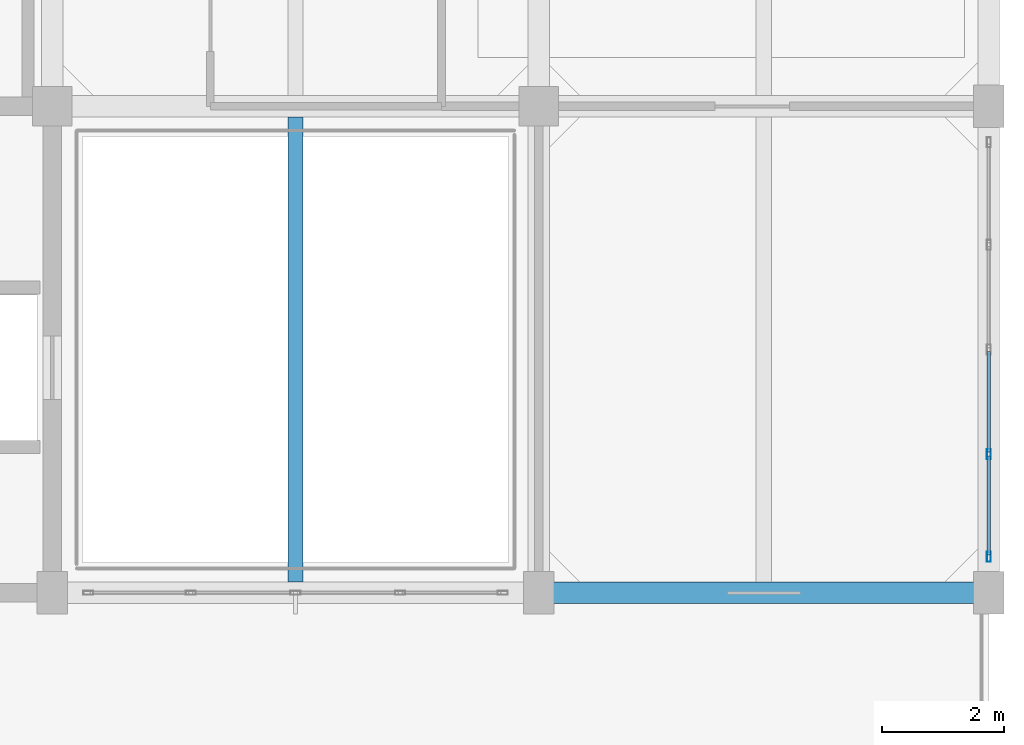
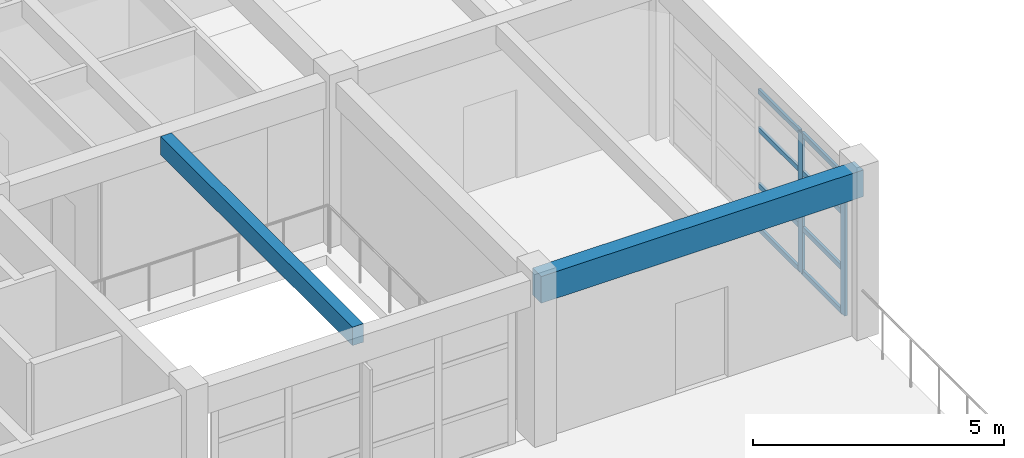
# One storey, part 6 of 20: 10 members, 2 beams, 1 element without a shape of its own.
"""IFC4 building model written with IfcOpenShell, lengths in metres."""

import ifcopenshell
import ifcopenshell.guid

model = None  # the IFC model being written
_history = None  # IfcOwnerHistory: only IFC2X3 demands one
_inside = {}  # id of a spatial element -> (the spatial element, [elements in it])
_under = {}  # id of a project, library or spatial element -> (it, [spatial elements below it])
_declared = {}  # id of a project -> (the project, [libraries it declares])
_typed = {}  # id of a type object -> (the type object, [elements of that type])
_made_of = {}  # id of a material, layer set ... -> (it, [elements and type objects made of it])


def new_model(schema):
    """Start an empty IFC model of exactly this schema.

    Asked for "IFC4X3", IfcOpenShell would pick the latest addendum, in which some entities
    have other attributes; the version numbers below select the first issue.
    IFC2X3 requires an IfcOwnerHistory on every rooted entity: one is made here for all.
    """
    global model, _history
    if schema == "IFC4X3":
        model = ifcopenshell.file(schema_version=(4, 3, 0, 0))
    else:
        model = ifcopenshell.file(schema=schema)
    _inside.clear()
    _under.clear()
    _declared.clear()
    _typed.clear()
    _made_of.clear()
    _history = None
    if model.schema == "IFC2X3":
        org = make("IfcOrganization", Name="unknown")
        user = make(
            "IfcPersonAndOrganization",
            ThePerson=make("IfcPerson", FamilyName="unknown"),
            TheOrganization=org,
        )
        app = make(
            "IfcApplication",
            ApplicationDeveloper=org,
            Version="unknown",
            ApplicationFullName="unknown",
            ApplicationIdentifier="unknown",
        )
        _history = make(
            "IfcOwnerHistory",
            OwningUser=user,
            OwningApplication=app,
            ChangeAction="ADDED",
            CreationDate=0,
        )
    return model


def make(cls, **values):
    """One entity of the class cls with the attributes given. An attribute that is None is left unset."""
    return model.create_entity(
        cls, **{name: value for name, value in values.items() if value is not None}
    )


def rooted(cls, **values):
    """An entity with a GlobalId (a new one), such as an element, a storey or a relation."""
    return make(cls, GlobalId=ifcopenshell.guid.new(), OwnerHistory=_history, **values)


def si_unit(unit_type, name, prefix=None):
    """IfcSIUnit, for example si_unit("LENGTHUNIT", "METRE", prefix="MILLI")."""
    return make("IfcSIUnit", UnitType=unit_type, Prefix=prefix, Name=name)


def assignment(units):
    """IfcUnitAssignment: the units of a project."""
    return None if units is None else make("IfcUnitAssignment", Units=units)


def point(xyz):
    """IfcCartesianPoint."""
    return None if xyz is None else make("IfcCartesianPoint", Coordinates=xyz)


def direction(xyz):
    """IfcDirection."""
    return None if xyz is None else make("IfcDirection", DirectionRatios=xyz)


def frame(location, z_axis=None, x_axis=None):
    """IfcAxis2Placement3D, a coordinate frame: its origin and axes. An axis left out is left unset."""
    return make(
        "IfcAxis2Placement3D",
        Location=point(location),
        Axis=direction(z_axis),
        RefDirection=direction(x_axis),
    )


def frame_2d(location, x_axis=None):
    """IfcAxis2Placement2D, a coordinate frame in the plane: its origin and x axis."""
    return make(
        "IfcAxis2Placement2D", Location=point(location), RefDirection=direction(x_axis)
    )


def origin():
    """The frame at (0, 0, 0) with its axes left unset."""
    return frame((0.0, 0.0, 0.0))


def origin_2d():
    """The frame at (0, 0) in the plane with its x axis left unset."""
    return frame_2d((0.0, 0.0))


def place(relative_to, where):
    """IfcLocalPlacement: puts the frame where relative to a parent placement (None: the world)."""
    return make(
        "IfcLocalPlacement", PlacementRelTo=relative_to, RelativePlacement=where
    )


def context(
    kind, dimensions, precision=None, world=None, true_north=None, identifier=None
):
    """IfcGeometricRepresentationContext, for example the 3D "Model" context."""
    return make(
        "IfcGeometricRepresentationContext",
        ContextIdentifier=identifier,
        ContextType=kind,
        CoordinateSpaceDimension=dimensions,
        Precision=precision,
        WorldCoordinateSystem=world,
        TrueNorth=true_north,
    )


def subcontext(parent, identifier, kind, view, scale=None):
    """IfcGeometricRepresentationSubContext, for example "Body" below "Model"."""
    return make(
        "IfcGeometricRepresentationSubContext",
        ContextIdentifier=identifier,
        ContextType=kind,
        ParentContext=parent,
        TargetScale=scale,
        TargetView=view,
    )


def project(units=None, contexts=None):
    """IfcProject with its units and contexts."""
    return rooted(
        "IfcProject",
        Name="project",
        RepresentationContexts=contexts,
        UnitsInContext=assignment(units),
    )


def spatial(cls, under=None, at=None, **own):
    """A site, building, storey or space (cls), placed at a placement, below another one or the project."""
    s = rooted(cls, ObjectPlacement=at, **own)
    if under is not None:
        _under.setdefault(under.id(), (under, []))[1].append(s)
    return s


def profile(cls, at=None, kind="AREA", **sizes):
    """A parametric profile (cls). Its sizes go by their IFC names, for example OverallWidth=200.0."""
    return make(cls, ProfileType=kind, Position=at, **sizes)


def rectangle(**sizes):
    """IfcRectangleProfileDef."""
    return profile("IfcRectangleProfileDef", **sizes)


def hollow_rectangle(**sizes):
    """IfcRectangleHollowProfileDef."""
    return profile("IfcRectangleHollowProfileDef", **sizes)


def extrude(swept, where, along, depth):
    """IfcExtrudedAreaSolid: the profile swept, set in the frame where, extruded along a direction by depth."""
    return make(
        "IfcExtrudedAreaSolid",
        SweptArea=swept,
        Position=where,
        ExtrudedDirection=direction(along),
        Depth=depth,
    )


def shape(context_of_items, identifier, shape_type, items):
    """IfcShapeRepresentation: the items that make up one representation, for example the "Body"."""
    return make(
        "IfcShapeRepresentation",
        ContextOfItems=context_of_items,
        RepresentationIdentifier=identifier,
        RepresentationType=shape_type,
        Items=items,
    )


def material(Name=None, Category=None):
    """IfcMaterial."""
    return make("IfcMaterial", Name=Name, Category=Category)


def layer(
    of_material, thickness, ventilated=None, Name=None, Category=None, Priority=None
):
    """IfcMaterialLayer: one layer of a wall or slab, of a material (None: an air gap)."""
    return make(
        "IfcMaterialLayer",
        Material=of_material,
        LayerThickness=thickness,
        IsVentilated=ventilated,
        Name=Name,
        Category=Category,
        Priority=Priority,
    )


def layer_set(layers, Name=None):
    """IfcMaterialLayerSet."""
    return make("IfcMaterialLayerSet", MaterialLayers=layers, LayerSetName=Name)


def material_profile(
    of_material, cross_section, Name=None, Category=None, Priority=None
):
    """IfcMaterialProfile: a cross section and its material."""
    return make(
        "IfcMaterialProfile",
        Name=Name,
        Material=of_material,
        Profile=cross_section,
        Priority=Priority,
        Category=Category,
    )


def profile_set(profiles, Name=None, composite=None):
    """IfcMaterialProfileSet."""
    return make(
        "IfcMaterialProfileSet",
        Name=Name,
        MaterialProfiles=profiles,
        CompositeProfile=composite,
    )


def made_of(thing, what):
    """Note that an element or type object is made of a material, layer set ...; save() writes the relation."""
    if what is not None:
        _made_of.setdefault(what.id(), (what, []))[1].append(thing)
    return thing


def type_object(cls, material=None, **own):
    """A type object (cls), such as IfcWallType, which elements share."""
    return made_of(rooted(cls, **own), material)


def element(
    cls,
    number,
    at=None,
    inside=None,
    cuts=None,
    type_object=None,
    material=None,
    context=None,
    identifier="Body",
    shape_type=None,
    held_by="IfcProductDefinitionShape",
    body=None,
    shapes=None,
    **own,
):
    """One element of the class cls, such as IfcWall. Its Tag is "e" and its number.

    at: its placement. inside: the storey or other place that contains it. cuts: it is an
    opening in that element (IfcRelVoidsElement). A single representation is given by context,
    identifier, shape_type and body (its items); several are given by shapes. held_by: the class
    of the entity that holds the representations. save() writes the other relations.
    """
    e = rooted(cls, Tag="e%d" % number, ObjectPlacement=at, **own)
    if body is not None:
        shapes = [shape(context, identifier, shape_type, body)]
    if shapes is not None:
        e.Representation = make(held_by, Representations=shapes)
    if inside is not None:
        _inside.setdefault(inside.id(), (inside, []))[1].append(e)
    if cuts is not None:
        rooted(
            "IfcRelVoidsElement", RelatingBuildingElement=cuts, RelatedOpeningElement=e
        )
    if type_object is not None:
        _typed.setdefault(type_object.id(), (type_object, []))[1].append(e)
    return made_of(e, material)


def aggregate(whole, parts):
    """IfcRelAggregates: a whole, such as a stair, and the parts it consists of."""
    return rooted("IfcRelAggregates", RelatingObject=whole, RelatedObjects=parts)


def save(model, path):
    """Write the relations noted so far, then the file.

    IfcRelAggregates (storeys below a building ...), IfcRelContainedInSpatialStructure (elements
    in a storey), IfcRelDefinesByType, IfcRelAssociatesMaterial and IfcRelDeclares: one each for
    every whole, place, type object, material and project.
    """
    for whole, parts in _under.values():
        aggregate(whole, parts)
    for where, things in _inside.values():
        rooted(
            "IfcRelContainedInSpatialStructure",
            RelatedElements=things,
            RelatingStructure=where,
        )
    for kind, things in _typed.values():
        rooted("IfcRelDefinesByType", RelatedObjects=things, RelatingType=kind)
    for what, things in _made_of.values():
        rooted("IfcRelAssociatesMaterial", RelatedObjects=things, RelatingMaterial=what)
    for by, libraries in _declared.values():
        rooted("IfcRelDeclares", RelatingContext=by, RelatedDefinitions=libraries)
    model.write(path)


model = new_model("IFC4")

# Units and contexts
model_context = context("Model", 3, precision=1e-05, world=origin(), true_north=direction((0.0, 1.0)))
body_context = subcontext(model_context, "Body", "Model", "MODEL_VIEW")
ifc_project = project(units=[si_unit("LENGTHUNIT", "METRE"), si_unit("AREAUNIT", "SQUARE_METRE"), si_unit("VOLUMEUNIT", "CUBIC_METRE"), si_unit("PLANEANGLEUNIT", "RADIAN"), si_unit("MASSUNIT", "GRAM", prefix="KILO")], contexts=[model_context])

# Site, building, storey
site_placement = place(None, origin())
site = spatial("IfcSite", under=ifc_project, at=site_placement, CompositionType="ELEMENT")
building_placement = place(site_placement, origin())
building = spatial("IfcBuilding", under=site, at=building_placement, Name="Canggui Botanical Conservatory", CompositionType="ELEMENT")
storey_placement = place(building_placement, frame((0.0, 0.0, 57.0)))
storey = spatial("IfcBuildingStorey", under=building, at=storey_placement, Name="L14", CompositionType="ELEMENT", Elevation=57.0)

# Beams
ifc_material_1 = material(Name="Concrete C35", Category="concrete")
ifc_material_profile_1 = material_profile(ifc_material_1, rectangle(XDim=0.25, YDim=0.449951171875, at=origin_2d()), Name="RB 250x450")
ifc_profile_set_1 = profile_set([ifc_material_profile_1], Name="Concrete C35")
beam_type_1 = type_object("IfcBeamType", Name="BM-JST05", PredefinedType="JOIST", material=ifc_profile_set_1)
beam_1_placement = place(storey_placement, frame((166.0, 42.179931640625, 3.735107421875), z_axis=(0.0, 1.0, 0.0), x_axis=(-1.0, 0.0, 0.0)))
element("IfcBeam", 1, at=beam_1_placement, inside=storey, type_object=beam_type_1, Name="Secondary Floor Joist L14-3-1", PredefinedType="JOIST", context=body_context, shape_type="SweptSolid", body=[
    extrude(rectangle(XDim=0.25, YDim=0.449951171875, at=origin_2d()), origin(), (0.0, 0.0, 1.0), 7.64013671875),
])
ifc_material_profile_2 = material_profile(ifc_material_1, rectangle(XDim=0.35009765625, YDim=0.64990234375, at=origin_2d()), Name="RB 350x650")
ifc_profile_set_2 = profile_set([ifc_material_profile_2], Name="Concrete C35")
beam_type_2 = type_object("IfcBeamType", Name="BM-KL18", PredefinedType="BEAM", material=ifc_profile_set_2)
beam_2_placement = place(storey_placement, frame((170.0, 42.0, 3.635009765625), z_axis=(1.0, 0.0, 0.0), x_axis=(0.0, 1.0, 0.0)))
element("IfcBeam", 2, at=beam_2_placement, inside=storey, type_object=beam_type_2, Name="Frame Girder L14 Y42-4", PredefinedType="BEAM", context=body_context, shape_type="SweptSolid", body=[
    extrude(rectangle(XDim=0.35009765625, YDim=0.64990234375, at=origin_2d()), origin(), (0.0, 0.0, 1.0), 7.39990234375),
])

# Curtain wall, members
ifc_material_2 = material(Name="Thermally Broken Aluminium", Category="aluminium")
ifc_layer = layer(ifc_material_2, 0.1650390625, Name="Thermally Broken Aluminium", Category="aluminium")
ifc_layer_set = layer_set([ifc_layer], Name="Thermally Broken Aluminium")
curtain_wall_type = type_object("IfcCurtainWallType", Name="CW-UNIT-B", PredefinedType="USERDEFINED", material=ifc_layer_set)
curtain_wall_placement = place(storey_placement, origin())
curtain_wall = element("IfcCurtainWall", 3, at=curtain_wall_placement, inside=storey, type_object=curtain_wall_type, Name="Facade Curtain Wall CW-TWR-L14-12", ObjectType="UNITISED CURTAIN WALL", PredefinedType="USERDEFINED")
ifc_material_profile_3 = material_profile(ifc_material_2, hollow_rectangle(XDim=0.06494140625, YDim=0.1650390625, WallThickness=0.00390625, at=origin_2d()), Name="CWM 65x165x4")
ifc_profile_set_3 = profile_set([ifc_material_profile_3], Name="Thermally Broken Aluminium")
member_type_1 = type_object("IfcMemberType", Name="CWM-02", PredefinedType="MULLION", material=ifc_profile_set_3)
member_1_placement = place(storey_placement, frame((177.39990234375, 44.280029296875, 0.0), z_axis=(0.0, 0.0, 1.0), x_axis=(1.0, 0.0, 0.0)))
member_1 = element("IfcMember", 4, at=member_1_placement, type_object=member_type_1, Name="CW-02 mullion 4", PredefinedType="MULLION", context=body_context, shape_type="SweptSolid", body=[
    extrude(hollow_rectangle(XDim=0.06494140625, YDim=0.1650390625, WallThickness=0.00390625, at=origin_2d()), origin(), (0.0, 0.0, 1.0), 3.39990234375),
])
member_2_placement = place(storey_placement, frame((177.39990234375, 42.592529296875, 0.0), z_axis=(0.0, 0.0, 1.0), x_axis=(1.0, 0.0, 0.0)))
member_2 = element("IfcMember", 5, at=member_2_placement, type_object=member_type_1, Name="CW-02 mullion 5", PredefinedType="MULLION", context=body_context, shape_type="SweptSolid", body=[
    extrude(hollow_rectangle(XDim=0.06494140625, YDim=0.1650390625, WallThickness=0.00390625, at=origin_2d()), origin(), (0.0, 0.0, 1.0), 3.39990234375),
])
ifc_material_profile_4 = material_profile(ifc_material_2, hollow_rectangle(XDim=0.06005859375, YDim=0.1201171875, WallThickness=0.00341796875, at=origin_2d()), Name="CWT 60x120x3.5")
ifc_profile_set_4 = profile_set([ifc_material_profile_4], Name="Thermally Broken Aluminium")
member_type_2 = type_object("IfcMemberType", Name="CWT-02", PredefinedType="USERDEFINED", material=ifc_profile_set_4)
member_3_placement = place(storey_placement, frame((177.39990234375, 45.967529296875, 0.030029296875), z_axis=(0.0, -1.0, 0.0), x_axis=(1.0, 0.0, 0.0)))
member_3 = element("IfcMember", 6, at=member_3_placement, type_object=member_type_2, Name="CW-02 transom 3.1", ObjectType="TRANSOM", PredefinedType="USERDEFINED", context=body_context, shape_type="SweptSolid", body=[
    extrude(hollow_rectangle(XDim=0.06005859375, YDim=0.1201171875, WallThickness=0.00341796875, at=origin_2d()), origin(), (0.0, 0.0, 1.0), 1.655029296875),
])
member_4_placement = place(storey_placement, frame((177.39990234375, 45.967529296875, 1.087890625), z_axis=(0.0, -1.0, 0.0), x_axis=(1.0, 0.0, 0.0)))
member_4 = element("IfcMember", 7, at=member_4_placement, type_object=member_type_2, Name="CW-02 transom 3.2", ObjectType="TRANSOM", PredefinedType="USERDEFINED", context=body_context, shape_type="SweptSolid", body=[
    extrude(hollow_rectangle(XDim=0.06005859375, YDim=0.1201171875, WallThickness=0.00341796875, at=origin_2d()), origin(), (0.0, 0.0, 1.0), 1.655029296875),
])
member_5_placement = place(storey_placement, frame((177.39990234375, 45.967529296875, 2.447998046875), z_axis=(0.0, -1.0, 0.0), x_axis=(1.0, 0.0, 0.0)))
member_5 = element("IfcMember", 8, at=member_5_placement, type_object=member_type_2, Name="CW-02 transom 3.3", ObjectType="TRANSOM", PredefinedType="USERDEFINED", context=body_context, shape_type="SweptSolid", body=[
    extrude(hollow_rectangle(XDim=0.06005859375, YDim=0.1201171875, WallThickness=0.00341796875, at=origin_2d()), origin(), (0.0, 0.0, 1.0), 1.655029296875),
])
member_6_placement = place(storey_placement, frame((177.39990234375, 45.967529296875, 3.3701171875), z_axis=(0.0, -1.0, 0.0), x_axis=(1.0, 0.0, 0.0)))
member_6 = element("IfcMember", 9, at=member_6_placement, type_object=member_type_2, Name="CW-02 transom 3.4", ObjectType="TRANSOM", PredefinedType="USERDEFINED", context=body_context, shape_type="SweptSolid", body=[
    extrude(hollow_rectangle(XDim=0.06005859375, YDim=0.1201171875, WallThickness=0.00341796875, at=origin_2d()), origin(), (0.0, 0.0, 1.0), 1.655029296875),
])
member_7_placement = place(storey_placement, frame((177.39990234375, 44.24755859375, 0.030029296875), z_axis=(0.0, -1.0, 0.0), x_axis=(1.0, 0.0, 0.0)))
member_7 = element("IfcMember", 10, at=member_7_placement, type_object=member_type_2, Name="CW-02 transom 4.1", ObjectType="TRANSOM", PredefinedType="USERDEFINED", context=body_context, shape_type="SweptSolid", body=[
    extrude(hollow_rectangle(XDim=0.06005859375, YDim=0.1201171875, WallThickness=0.00341796875, at=origin_2d()), origin(), (0.0, 0.0, 1.0), 1.62255859375),
])
member_8_placement = place(storey_placement, frame((177.39990234375, 44.24755859375, 1.087890625), z_axis=(0.0, -1.0, 0.0), x_axis=(1.0, 0.0, 0.0)))
member_8 = element("IfcMember", 11, at=member_8_placement, type_object=member_type_2, Name="CW-02 transom 4.2", ObjectType="TRANSOM", PredefinedType="USERDEFINED", context=body_context, shape_type="SweptSolid", body=[
    extrude(hollow_rectangle(XDim=0.06005859375, YDim=0.1201171875, WallThickness=0.00341796875, at=origin_2d()), origin(), (0.0, 0.0, 1.0), 1.62255859375),
])
member_9_placement = place(storey_placement, frame((177.39990234375, 44.24755859375, 2.447998046875), z_axis=(0.0, -1.0, 0.0), x_axis=(1.0, 0.0, 0.0)))
member_9 = element("IfcMember", 12, at=member_9_placement, type_object=member_type_2, Name="CW-02 transom 4.3", ObjectType="TRANSOM", PredefinedType="USERDEFINED", context=body_context, shape_type="SweptSolid", body=[
    extrude(hollow_rectangle(XDim=0.06005859375, YDim=0.1201171875, WallThickness=0.00341796875, at=origin_2d()), origin(), (0.0, 0.0, 1.0), 1.62255859375),
])
member_10_placement = place(storey_placement, frame((177.39990234375, 44.24755859375, 3.3701171875), z_axis=(0.0, -1.0, 0.0), x_axis=(1.0, 0.0, 0.0)))
member_10 = element("IfcMember", 13, at=member_10_placement, type_object=member_type_2, Name="CW-02 transom 4.4", ObjectType="TRANSOM", PredefinedType="USERDEFINED", context=body_context, shape_type="SweptSolid", body=[
    extrude(hollow_rectangle(XDim=0.06005859375, YDim=0.1201171875, WallThickness=0.00341796875, at=origin_2d()), origin(), (0.0, 0.0, 1.0), 1.62255859375),
])
aggregate(curtain_wall, [member_1, member_2, member_3, member_4, member_5, member_6, member_7, member_8, member_9, member_10])

save(model, "model.ifc")
